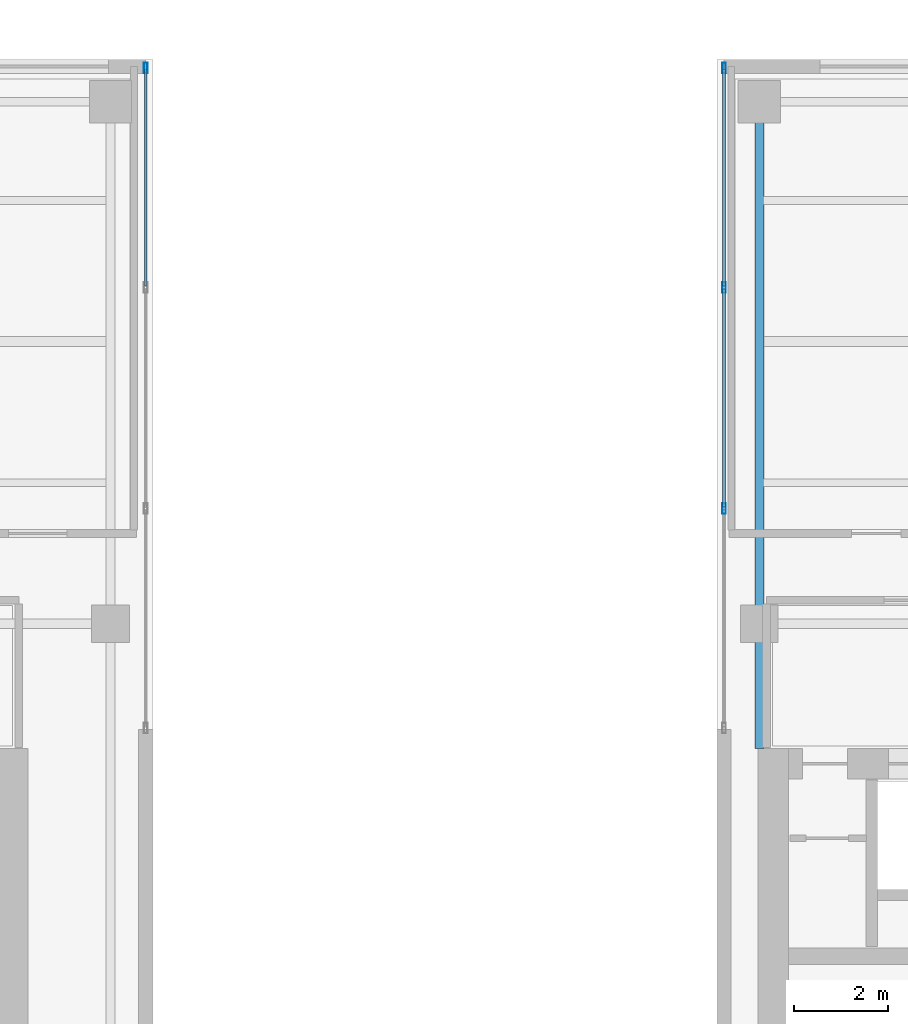
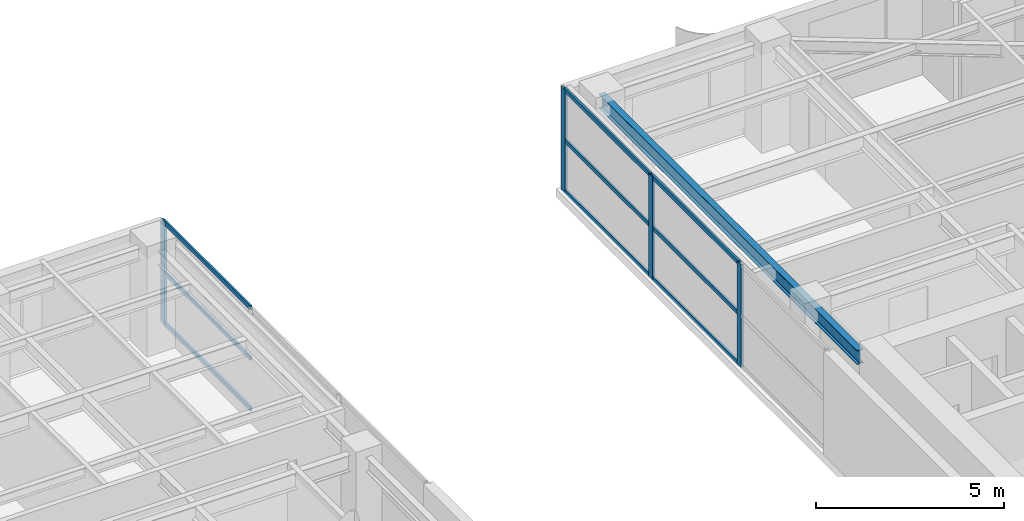
# One storey, part 14 of 22: 13 members, 1 beam, 2 elements without a shape of their own.
"""IFC4 building model written with IfcOpenShell, lengths in metres."""

from ifc_helpers import new_model, si_unit, direction, frame, origin, origin_2d, place, context, subcontext, project, spatial, hollow_rectangle, i_section, extrude, source, transform, mapped, material, layer, layer_set, material_profile, profile_set, type_object, element, aggregate, save


model = new_model("IFC4")

# Units and contexts
model_context = context("Model", 3, precision=1e-05, world=origin(), true_north=direction((0.0, 1.0)))
body_context = subcontext(model_context, "Body", "Model", "MODEL_VIEW")
ifc_project = project(units=[si_unit("LENGTHUNIT", "METRE"), si_unit("AREAUNIT", "SQUARE_METRE"), si_unit("VOLUMEUNIT", "CUBIC_METRE"), si_unit("PLANEANGLEUNIT", "RADIAN"), si_unit("MASSUNIT", "GRAM", prefix="KILO")], contexts=[model_context])

# Site, building, storey
site_placement = place(None, origin())
site = spatial("IfcSite", under=ifc_project, at=site_placement, CompositionType="ELEMENT")
building_placement = place(site_placement, origin())
building = spatial("IfcBuilding", under=site, at=building_placement, Name="Khoralis Quay Care Tower", CompositionType="ELEMENT")
storey_placement = place(building_placement, frame((0.0, 0.0, 188.10009765625)))
storey = spatial("IfcBuildingStorey", under=building, at=storey_placement, Name="L49", CompositionType="ELEMENT", Elevation=188.10009765625)

# Beam
ifc_material_1 = material(Name="Steel S355", Category="steel")
ifc_material_profile_1 = material_profile(ifc_material_1, i_section(OverallWidth=0.19189453125, OverallDepth=0.462890625, WebThickness=0.010498046875, FlangeThickness=0.017578125, FilletRadius=0.014892578125, at=origin_2d()), Name="Steel S355")
ifc_profile_set_1 = profile_set([ifc_material_profile_1], Name="Steel S355")
beam_type = type_object("IfcBeamType", Name="BM-W460X89", PredefinedType="BEAM", material=ifc_profile_set_1)
shared_shape_1 = source(origin(), body_context, "Body", "SweptSolid", [
    extrude(i_section(OverallWidth=0.19189453125, OverallDepth=0.462890625, WebThickness=0.010498046875, FlangeThickness=0.017578125, FilletRadius=0.014892578125, at=origin_2d()), origin(), (0.0, 0.0, 1.0), 13.752197265625),
])
beam_placement = place(storey_placement, frame((30.89990234375, 27.347900390625, 3.1083984375), z_axis=(0.0, 1.0, 0.0), x_axis=(-1.0, 0.0, 0.0)))
element("IfcBeam", 1, at=beam_placement, inside=storey, type_object=beam_type, Name="BM-TGYN-L49-309", PredefinedType="BEAM", context=body_context, shape_type="MappedRepresentation", body=[
    mapped(shared_shape_1, transform((0.0, 0.0, 0.0), scale=1.0)),
])

# Curtain wall, members
ifc_material_2 = material(Name="Pale anodised aluminium", Category="aluminium")
ifc_layer = layer(ifc_material_2, 0.18994140625)
ifc_layer_set = layer_set([ifc_layer], Name="Pale anodised aluminium")
curtain_wall_type = type_object("IfcCurtainWallType", Name="CW-SYS-PORTAL", PredefinedType="NOTDEFINED", material=ifc_layer_set)
curtain_wall_1_placement = place(storey_placement, origin())
curtain_wall_1 = element("IfcCurtainWall", 2, at=curtain_wall_1_placement, inside=storey, type_object=curtain_wall_type, Name="L49 Unitised Curtain Wall CW-VP-L49-P1-N", PredefinedType="NOTDEFINED")
ifc_material_profile_2 = material_profile(ifc_material_2, hollow_rectangle(XDim=0.06005859375, YDim=0.139892578125, WallThickness=0.00390625, at=origin_2d()), Name="Pale anodised aluminium")
ifc_profile_set_2 = profile_set([ifc_material_profile_2], Name="Pale anodised aluminium")
member_type_1 = type_object("IfcMemberType", Name="CW-TRN-140", PredefinedType="USERDEFINED", material=ifc_profile_set_2)
shared_shape_2 = source(origin(), body_context, "Body", "SweptSolid", [
    extrude(hollow_rectangle(XDim=0.06005859375, YDim=0.139892578125, WallThickness=0.00390625, at=origin_2d()), origin(), (0.0, 0.0, 1.0), 4.610107421875),
])
member_1_placement = place(storey_placement, frame((17.85009765625, 37.179931640625, 0.02978515625), z_axis=(0.0, 1.0, 0.0), x_axis=(-1.0, 0.0, 0.0)))
member_1 = element("IfcMember", 3, at=member_1_placement, type_object=member_type_1, Name="CW4 transom 3.1", ObjectType="TRANSOM", PredefinedType="USERDEFINED", context=body_context, shape_type="MappedRepresentation", body=[
    mapped(shared_shape_2, transform((0.0, 0.0, 0.0), scale=1.0)),
])
member_2_placement = place(storey_placement, frame((17.85009765625, 37.179931640625, 1.669921875), z_axis=(0.0, 1.0, 0.0), x_axis=(-1.0, 0.0, 0.0)))
member_2 = element("IfcMember", 4, at=member_2_placement, type_object=member_type_1, Name="CW4 transom 3.2", ObjectType="TRANSOM", PredefinedType="USERDEFINED", context=body_context, shape_type="MappedRepresentation", body=[
    mapped(shared_shape_2, transform((0.0, 0.0, 0.0), scale=1.0)),
])
member_3_placement = place(storey_placement, frame((17.85009765625, 37.179931640625, 3.309814453125), z_axis=(0.0, 1.0, 0.0), x_axis=(-1.0, 0.0, 0.0)))
member_3 = element("IfcMember", 5, at=member_3_placement, type_object=member_type_1, Name="CW4 transom 3.3", ObjectType="TRANSOM", PredefinedType="USERDEFINED", context=body_context, shape_type="MappedRepresentation", body=[
    mapped(shared_shape_2, transform((0.0, 0.0, 0.0), scale=1.0)),
])

curtain_wall_2_placement = place(storey_placement, origin())
curtain_wall_2 = element("IfcCurtainWall", 6, at=curtain_wall_2_placement, inside=storey, type_object=curtain_wall_type, Name="L49 Unitised Curtain Wall CW-VP-L49-P2-N", PredefinedType="NOTDEFINED")
member_4_placement = place(storey_placement, frame((30.14990234375, 37.179931640625, 0.02978515625), z_axis=(0.0, 1.0, 0.0), x_axis=(-1.0, 0.0, 0.0)))
member_4 = element("IfcMember", 7, at=member_4_placement, type_object=member_type_1, Name="CW4 transom 3.1", ObjectType="TRANSOM", PredefinedType="USERDEFINED", context=body_context, shape_type="MappedRepresentation", body=[
    mapped(shared_shape_2, transform((0.0, 0.0, 0.0), scale=1.0)),
])
member_5_placement = place(storey_placement, frame((30.14990234375, 37.179931640625, 1.669921875), z_axis=(0.0, 1.0, 0.0), x_axis=(-1.0, 0.0, 0.0)))
member_5 = element("IfcMember", 8, at=member_5_placement, type_object=member_type_1, Name="CW4 transom 3.2", ObjectType="TRANSOM", PredefinedType="USERDEFINED", context=body_context, shape_type="MappedRepresentation", body=[
    mapped(shared_shape_2, transform((0.0, 0.0, 0.0), scale=1.0)),
])
member_6_placement = place(storey_placement, frame((30.14990234375, 37.179931640625, 3.309814453125), z_axis=(0.0, 1.0, 0.0), x_axis=(-1.0, 0.0, 0.0)))
member_6 = element("IfcMember", 9, at=member_6_placement, type_object=member_type_1, Name="CW4 transom 3.3", ObjectType="TRANSOM", PredefinedType="USERDEFINED", context=body_context, shape_type="MappedRepresentation", body=[
    mapped(shared_shape_2, transform((0.0, 0.0, 0.0), scale=1.0)),
])
shared_shape_3 = source(origin(), body_context, "Body", "SweptSolid", [
    extrude(hollow_rectangle(XDim=0.06005859375, YDim=0.139892578125, WallThickness=0.00390625, at=origin_2d()), origin(), (0.0, 0.0, 1.0), 4.64013671875),
])
member_7_placement = place(storey_placement, frame((30.14990234375, 32.47998046875, 0.02978515625), z_axis=(0.0, 1.0, 0.0), x_axis=(-1.0, 0.0, 0.0)))
member_7 = element("IfcMember", 10, at=member_7_placement, type_object=member_type_1, Name="CW4 transom 2.1", ObjectType="TRANSOM", PredefinedType="USERDEFINED", context=body_context, shape_type="MappedRepresentation", body=[
    mapped(shared_shape_3, transform((0.0, 0.0, 0.0), scale=1.0)),
])
member_8_placement = place(storey_placement, frame((30.14990234375, 32.47998046875, 1.669921875), z_axis=(0.0, 1.0, 0.0), x_axis=(-1.0, 0.0, 0.0)))
member_8 = element("IfcMember", 11, at=member_8_placement, type_object=member_type_1, Name="CW4 transom 2.2", ObjectType="TRANSOM", PredefinedType="USERDEFINED", context=body_context, shape_type="MappedRepresentation", body=[
    mapped(shared_shape_3, transform((0.0, 0.0, 0.0), scale=1.0)),
])
member_9_placement = place(storey_placement, frame((30.14990234375, 32.47998046875, 3.309814453125), z_axis=(0.0, 1.0, 0.0), x_axis=(-1.0, 0.0, 0.0)))
member_9 = element("IfcMember", 12, at=member_9_placement, type_object=member_type_1, Name="CW4 transom 2.3", ObjectType="TRANSOM", PredefinedType="USERDEFINED", context=body_context, shape_type="MappedRepresentation", body=[
    mapped(shared_shape_3, transform((0.0, 0.0, 0.0), scale=1.0)),
])

# Member
ifc_material_profile_3 = material_profile(ifc_material_2, hollow_rectangle(XDim=0.074951171875, YDim=0.219970703125, WallThickness=0.00390625, at=origin_2d()), Name="Pale anodised aluminium")
ifc_profile_set_3 = profile_set([ifc_material_profile_3], Name="Pale anodised aluminium")
member_type_2 = type_object("IfcMemberType", Name="CW-MUL-220", PredefinedType="MULLION", material=ifc_profile_set_3)
shared_shape_4 = source(origin(), body_context, "Body", "SweptSolid", [
    extrude(hollow_rectangle(XDim=0.074951171875, YDim=0.219970703125, WallThickness=0.00390625, at=origin_2d()), origin(), (0.0, 0.0, 1.0), 3.33984375),
])
member_10_placement = place(storey_placement, frame((17.85009765625, 41.820068359375, 0.0), z_axis=(0.0, 0.0, 1.0), x_axis=(-1.0, 0.0, 0.0)))
member_10 = element("IfcMember", 13, at=member_10_placement, type_object=member_type_2, Name="CW4 mullion 4", PredefinedType="MULLION", context=body_context, shape_type="MappedRepresentation", body=[
    mapped(shared_shape_4, transform((0.0, 0.0, 0.0), scale=1.0)),
])

aggregate(curtain_wall_1, [member_10, member_1, member_2, member_3])

member_11_placement = place(storey_placement, frame((30.14990234375, 32.449951171875, 0.0), z_axis=(0.0, 0.0, 1.0), x_axis=(-1.0, 0.0, 0.0)))
member_11 = element("IfcMember", 14, at=member_11_placement, type_object=member_type_2, Name="CW4 mullion 2", PredefinedType="MULLION", context=body_context, shape_type="MappedRepresentation", body=[
    mapped(shared_shape_4, transform((0.0, 0.0, 0.0), scale=1.0)),
])

member_12_placement = place(storey_placement, frame((30.14990234375, 37.14990234375, 0.0), z_axis=(0.0, 0.0, 1.0), x_axis=(-1.0, 0.0, 0.0)))
member_12 = element("IfcMember", 15, at=member_12_placement, type_object=member_type_2, Name="CW4 mullion 3", PredefinedType="MULLION", context=body_context, shape_type="MappedRepresentation", body=[
    mapped(shared_shape_4, transform((0.0, 0.0, 0.0), scale=1.0)),
])

member_13_placement = place(storey_placement, frame((30.14990234375, 41.820068359375, 0.0), z_axis=(0.0, 0.0, 1.0), x_axis=(-1.0, 0.0, 0.0)))
member_13 = element("IfcMember", 16, at=member_13_placement, type_object=member_type_2, Name="CW4 mullion 4", PredefinedType="MULLION", context=body_context, shape_type="MappedRepresentation", body=[
    mapped(shared_shape_4, transform((0.0, 0.0, 0.0), scale=1.0)),
])

aggregate(curtain_wall_2, [member_11, member_12, member_13, member_7, member_8, member_9, member_4, member_5, member_6])

save(model, "model.ifc")
